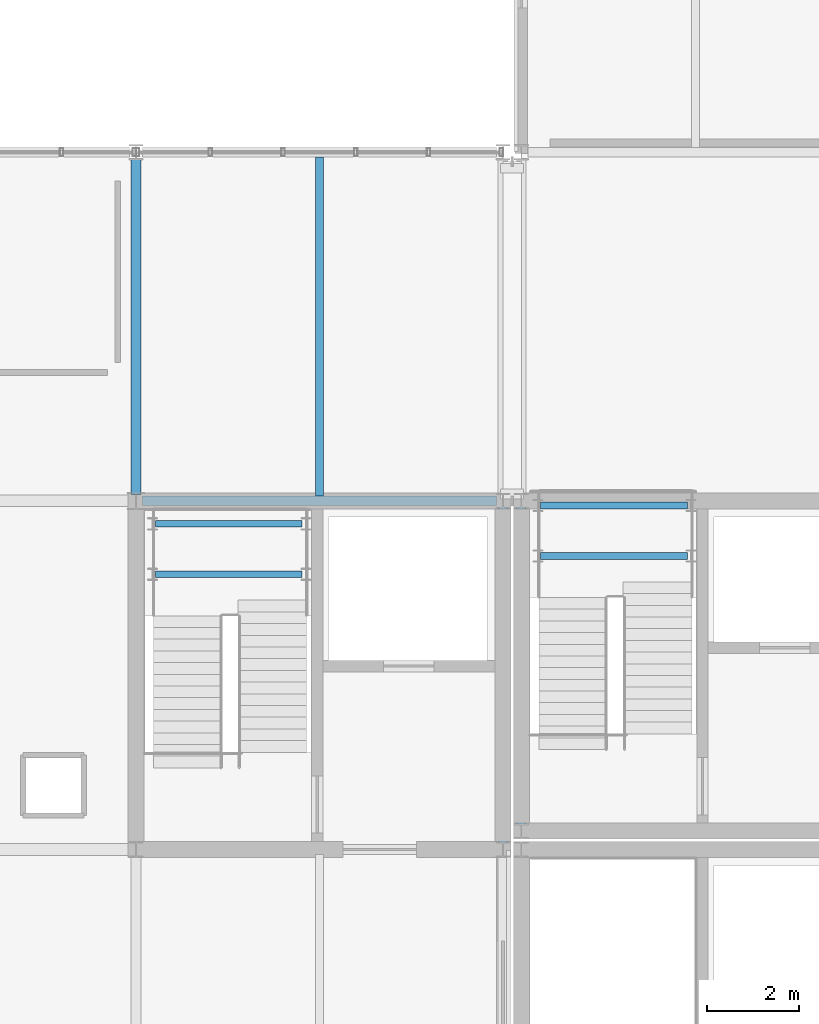
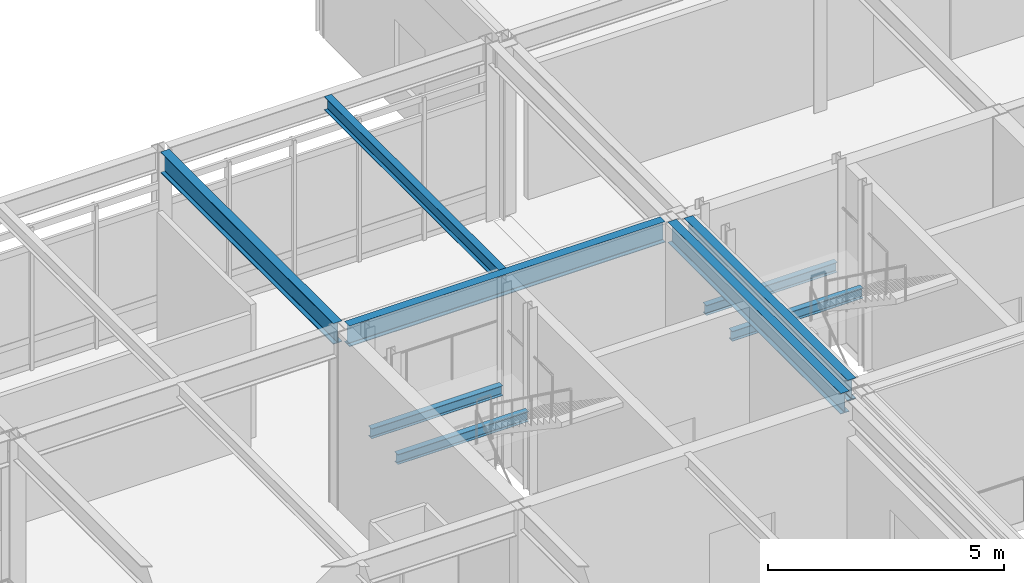
# One storey, part 54 of 104: 9 beams.
"""IFC4 building model written with IfcOpenShell, lengths in metres."""

import ifcopenshell
import ifcopenshell.guid

model = None  # the IFC model being written
_history = None  # IfcOwnerHistory: only IFC2X3 demands one
_inside = {}  # id of a spatial element -> (the spatial element, [elements in it])
_under = {}  # id of a project, library or spatial element -> (it, [spatial elements below it])
_declared = {}  # id of a project -> (the project, [libraries it declares])
_typed = {}  # id of a type object -> (the type object, [elements of that type])
_made_of = {}  # id of a material, layer set ... -> (it, [elements and type objects made of it])


def new_model(schema):
    """Start an empty IFC model of exactly this schema.

    Asked for "IFC4X3", IfcOpenShell would pick the latest addendum, in which some entities
    have other attributes; the version numbers below select the first issue.
    IFC2X3 requires an IfcOwnerHistory on every rooted entity: one is made here for all.
    """
    global model, _history
    if schema == "IFC4X3":
        model = ifcopenshell.file(schema_version=(4, 3, 0, 0))
    else:
        model = ifcopenshell.file(schema=schema)
    _inside.clear()
    _under.clear()
    _declared.clear()
    _typed.clear()
    _made_of.clear()
    _history = None
    if model.schema == "IFC2X3":
        org = make("IfcOrganization", Name="unknown")
        user = make(
            "IfcPersonAndOrganization",
            ThePerson=make("IfcPerson", FamilyName="unknown"),
            TheOrganization=org,
        )
        app = make(
            "IfcApplication",
            ApplicationDeveloper=org,
            Version="unknown",
            ApplicationFullName="unknown",
            ApplicationIdentifier="unknown",
        )
        _history = make(
            "IfcOwnerHistory",
            OwningUser=user,
            OwningApplication=app,
            ChangeAction="ADDED",
            CreationDate=0,
        )
    return model


def make(cls, **values):
    """One entity of the class cls with the attributes given. An attribute that is None is left unset."""
    return model.create_entity(
        cls, **{name: value for name, value in values.items() if value is not None}
    )


def rooted(cls, **values):
    """An entity with a GlobalId (a new one), such as an element, a storey or a relation."""
    return make(cls, GlobalId=ifcopenshell.guid.new(), OwnerHistory=_history, **values)


def si_unit(unit_type, name, prefix=None):
    """IfcSIUnit, for example si_unit("LENGTHUNIT", "METRE", prefix="MILLI")."""
    return make("IfcSIUnit", UnitType=unit_type, Prefix=prefix, Name=name)


def assignment(units):
    """IfcUnitAssignment: the units of a project."""
    return None if units is None else make("IfcUnitAssignment", Units=units)


def point(xyz):
    """IfcCartesianPoint."""
    return None if xyz is None else make("IfcCartesianPoint", Coordinates=xyz)


def direction(xyz):
    """IfcDirection."""
    return None if xyz is None else make("IfcDirection", DirectionRatios=xyz)


def frame(location, z_axis=None, x_axis=None):
    """IfcAxis2Placement3D, a coordinate frame: its origin and axes. An axis left out is left unset."""
    return make(
        "IfcAxis2Placement3D",
        Location=point(location),
        Axis=direction(z_axis),
        RefDirection=direction(x_axis),
    )


def frame_2d(location, x_axis=None):
    """IfcAxis2Placement2D, a coordinate frame in the plane: its origin and x axis."""
    return make(
        "IfcAxis2Placement2D", Location=point(location), RefDirection=direction(x_axis)
    )


def origin():
    """The frame at (0, 0, 0) with its axes left unset."""
    return frame((0.0, 0.0, 0.0))


def origin_2d():
    """The frame at (0, 0) in the plane with its x axis left unset."""
    return frame_2d((0.0, 0.0))


def place(relative_to, where):
    """IfcLocalPlacement: puts the frame where relative to a parent placement (None: the world)."""
    return make(
        "IfcLocalPlacement", PlacementRelTo=relative_to, RelativePlacement=where
    )


def context(
    kind, dimensions, precision=None, world=None, true_north=None, identifier=None
):
    """IfcGeometricRepresentationContext, for example the 3D "Model" context."""
    return make(
        "IfcGeometricRepresentationContext",
        ContextIdentifier=identifier,
        ContextType=kind,
        CoordinateSpaceDimension=dimensions,
        Precision=precision,
        WorldCoordinateSystem=world,
        TrueNorth=true_north,
    )


def subcontext(parent, identifier, kind, view, scale=None):
    """IfcGeometricRepresentationSubContext, for example "Body" below "Model"."""
    return make(
        "IfcGeometricRepresentationSubContext",
        ContextIdentifier=identifier,
        ContextType=kind,
        ParentContext=parent,
        TargetScale=scale,
        TargetView=view,
    )


def project(units=None, contexts=None):
    """IfcProject with its units and contexts."""
    return rooted(
        "IfcProject",
        Name="project",
        RepresentationContexts=contexts,
        UnitsInContext=assignment(units),
    )


def spatial(cls, under=None, at=None, **own):
    """A site, building, storey or space (cls), placed at a placement, below another one or the project."""
    s = rooted(cls, ObjectPlacement=at, **own)
    if under is not None:
        _under.setdefault(under.id(), (under, []))[1].append(s)
    return s


def profile(cls, at=None, kind="AREA", **sizes):
    """A parametric profile (cls). Its sizes go by their IFC names, for example OverallWidth=200.0."""
    return make(cls, ProfileType=kind, Position=at, **sizes)


def i_section(**sizes):
    """IfcIShapeProfileDef."""
    return profile("IfcIShapeProfileDef", **sizes)


def extrude(swept, where, along, depth):
    """IfcExtrudedAreaSolid: the profile swept, set in the frame where, extruded along a direction by depth."""
    return make(
        "IfcExtrudedAreaSolid",
        SweptArea=swept,
        Position=where,
        ExtrudedDirection=direction(along),
        Depth=depth,
    )


def shape(context_of_items, identifier, shape_type, items):
    """IfcShapeRepresentation: the items that make up one representation, for example the "Body"."""
    return make(
        "IfcShapeRepresentation",
        ContextOfItems=context_of_items,
        RepresentationIdentifier=identifier,
        RepresentationType=shape_type,
        Items=items,
    )


def material(Name=None, Category=None):
    """IfcMaterial."""
    return make("IfcMaterial", Name=Name, Category=Category)


def material_profile(
    of_material, cross_section, Name=None, Category=None, Priority=None
):
    """IfcMaterialProfile: a cross section and its material."""
    return make(
        "IfcMaterialProfile",
        Name=Name,
        Material=of_material,
        Profile=cross_section,
        Priority=Priority,
        Category=Category,
    )


def profile_set(profiles, Name=None, composite=None):
    """IfcMaterialProfileSet."""
    return make(
        "IfcMaterialProfileSet",
        Name=Name,
        MaterialProfiles=profiles,
        CompositeProfile=composite,
    )


def made_of(thing, what):
    """Note that an element or type object is made of a material, layer set ...; save() writes the relation."""
    if what is not None:
        _made_of.setdefault(what.id(), (what, []))[1].append(thing)
    return thing


def type_object(cls, material=None, **own):
    """A type object (cls), such as IfcWallType, which elements share."""
    return made_of(rooted(cls, **own), material)


def element(
    cls,
    number,
    at=None,
    inside=None,
    cuts=None,
    type_object=None,
    material=None,
    context=None,
    identifier="Body",
    shape_type=None,
    held_by="IfcProductDefinitionShape",
    body=None,
    shapes=None,
    **own,
):
    """One element of the class cls, such as IfcWall. Its Tag is "e" and its number.

    at: its placement. inside: the storey or other place that contains it. cuts: it is an
    opening in that element (IfcRelVoidsElement). A single representation is given by context,
    identifier, shape_type and body (its items); several are given by shapes. held_by: the class
    of the entity that holds the representations. save() writes the other relations.
    """
    e = rooted(cls, Tag="e%d" % number, ObjectPlacement=at, **own)
    if body is not None:
        shapes = [shape(context, identifier, shape_type, body)]
    if shapes is not None:
        e.Representation = make(held_by, Representations=shapes)
    if inside is not None:
        _inside.setdefault(inside.id(), (inside, []))[1].append(e)
    if cuts is not None:
        rooted(
            "IfcRelVoidsElement", RelatingBuildingElement=cuts, RelatedOpeningElement=e
        )
    if type_object is not None:
        _typed.setdefault(type_object.id(), (type_object, []))[1].append(e)
    return made_of(e, material)


def aggregate(whole, parts):
    """IfcRelAggregates: a whole, such as a stair, and the parts it consists of."""
    return rooted("IfcRelAggregates", RelatingObject=whole, RelatedObjects=parts)


def save(model, path):
    """Write the relations noted so far, then the file.

    IfcRelAggregates (storeys below a building ...), IfcRelContainedInSpatialStructure (elements
    in a storey), IfcRelDefinesByType, IfcRelAssociatesMaterial and IfcRelDeclares: one each for
    every whole, place, type object, material and project.
    """
    for whole, parts in _under.values():
        aggregate(whole, parts)
    for where, things in _inside.values():
        rooted(
            "IfcRelContainedInSpatialStructure",
            RelatedElements=things,
            RelatingStructure=where,
        )
    for kind, things in _typed.values():
        rooted("IfcRelDefinesByType", RelatedObjects=things, RelatingType=kind)
    for what, things in _made_of.values():
        rooted("IfcRelAssociatesMaterial", RelatedObjects=things, RelatingMaterial=what)
    for by, libraries in _declared.values():
        rooted("IfcRelDeclares", RelatingContext=by, RelatedDefinitions=libraries)
    model.write(path)


model = new_model("IFC4")

# Units and contexts
model_context = context("Model", 3, precision=1e-05, world=origin(), true_north=direction((0.0, 1.0)))
body_context = subcontext(model_context, "Body", "Model", "MODEL_VIEW")
ifc_project = project(units=[si_unit("LENGTHUNIT", "METRE"), si_unit("AREAUNIT", "SQUARE_METRE"), si_unit("VOLUMEUNIT", "CUBIC_METRE"), si_unit("PLANEANGLEUNIT", "RADIAN"), si_unit("MASSUNIT", "GRAM", prefix="KILO")], contexts=[model_context])

# Site, building, storey
site_placement = place(None, origin())
site = spatial("IfcSite", under=ifc_project, at=site_placement, CompositionType="ELEMENT")
building_placement = place(site_placement, origin())
building = spatial("IfcBuilding", under=site, at=building_placement, Name="Zulena Civic Courthouse", CompositionType="ELEMENT")
storey_placement = place(building_placement, frame((0.0, 0.0, 15.60009765625)))
storey = spatial("IfcBuildingStorey", under=building, at=storey_placement, Name="L03", CompositionType="ELEMENT", Elevation=15.60009765625)

# Beams
ifc_material = material(Name="Steel ASTM A992 Grade 50", Category="steel")
ifc_material_profile_1 = material_profile(ifc_material, i_section(OverallWidth=0.14599609375, OverallDepth=0.258056640625, WebThickness=0.006103515625, FlangeThickness=0.009033203125, FilletRadius=0.007568359375, at=origin_2d()), Name="W10X22")
ifc_profile_set_1 = profile_set([ifc_material_profile_1], Name="Steel ASTM A992 Grade 50")
beam_type_1 = type_object("IfcBeamType", Name="Joist_W10X22", PredefinedType="JOIST", material=ifc_profile_set_1)
for number, where, z_axis, x_axis, name in (
    (1, (124.820068359375, 36.800048828125, 1.990966796875), (1.0, 0.0, 0.0), (0.0, 1.0, 0.0), "beam:lnd:K3A:L03:0"),
    (2, (124.820068359375, 37.89990234375, 1.990966796875), (1.0, 0.0, 0.0), (0.0, 1.0, 0.0), "beam:lnd:K3A:L03:1"),
):
    element("IfcBeam", number, at=place(storey_placement, frame(where, z_axis=z_axis, x_axis=x_axis)), inside=storey, type_object=beam_type_1, Name=name, PredefinedType="JOIST", context=body_context, shape_type="SweptSolid", body=[
        extrude(i_section(OverallWidth=0.14599609375, OverallDepth=0.258056640625, WebThickness=0.006103515625, FlangeThickness=0.009033203125, FilletRadius=0.007568359375, at=origin_2d()), origin(), (0.0, 0.0, 1.0), 3.199951171875),
    ])
for number, where, z_axis, x_axis, name in (
    (3, (116.419921875, 36.39990234375, 1.990966796875), (1.0, 0.0, 0.0), (0.0, 1.0, 0.0), "beam:lnd:K4B:L03:0"),
    (4, (116.419921875, 37.5, 1.990966796875), (1.0, 0.0, 0.0), (0.0, 1.0, 0.0), "beam:lnd:K4B:L03:1"),
):
    element("IfcBeam", number, at=place(storey_placement, frame(where, z_axis=z_axis, x_axis=x_axis)), inside=storey, type_object=beam_type_1, Name=name, PredefinedType="JOIST", context=body_context, shape_type="SweptSolid", body=[
        extrude(i_section(OverallWidth=0.14599609375, OverallDepth=0.258056640625, WebThickness=0.006103515625, FlangeThickness=0.009033203125, FilletRadius=0.007568359375, at=origin_2d()), origin(), (0.0, 0.0, 1.0), 3.2001953125),
    ])
ifc_material_profile_2 = material_profile(ifc_material, i_section(OverallWidth=0.1708984375, OverallDepth=0.35205078125, WebThickness=0.0068359375, FlangeThickness=0.009765625, FilletRadius=0.01025390625, at=origin_2d()), Name="W14X30")
ifc_profile_set_2 = profile_set([ifc_material_profile_2], Name="Steel ASTM A992 Grade 50")
beam_type_2 = type_object("IfcBeamType", Name="Joist_W14X30", PredefinedType="JOIST", material=ifc_profile_set_2)
beam_1_placement = place(storey_placement, frame((120.0, 38.10498046875, 4.413818359375), z_axis=(0.0, 1.0, 0.0), x_axis=(-1.0, 0.0, 0.0)))
element("IfcBeam", 5, at=beam_1_placement, inside=storey, type_object=beam_type_2, Name="joist:V4:L03:120.00:38.0_45.6", PredefinedType="JOIST", context=body_context, shape_type="SweptSolid", body=[
    extrude(i_section(OverallWidth=0.1708984375, OverallDepth=0.35205078125, WebThickness=0.0068359375, FlangeThickness=0.009765625, FilletRadius=0.01025390625, at=origin_2d()), origin(), (0.0, 0.0, 1.0), 7.39013671875),
])
ifc_material_profile_3 = material_profile(ifc_material, i_section(OverallWidth=0.2099609375, OverallDepth=0.537109375, WebThickness=0.010986328125, FlangeThickness=0.017333984375, FilletRadius=0.0126953125, at=origin_2d()), Name="W21X68")
ifc_profile_set_3 = profile_set([ifc_material_profile_3], Name="Steel ASTM A992 Grade 50")
beam_type_3 = type_object("IfcBeamType", Name="Spandrel_W21X68", PredefinedType="SPANDREL", material=ifc_profile_set_3)
beam_2_placement = place(storey_placement, frame((124.39990234375, 30.945068359375, 4.2763671875), z_axis=(0.0, 1.0, 0.0), x_axis=(-1.0, 0.0, 0.0)))
element("IfcBeam", 6, at=beam_2_placement, inside=storey, type_object=beam_type_3, Name="beam:Y:V3:L03:124.4:30.8_38.0", PredefinedType="SPANDREL", context=body_context, shape_type="SweptSolid", body=[
    extrude(i_section(OverallWidth=0.2099609375, OverallDepth=0.537109375, WebThickness=0.010986328125, FlangeThickness=0.017333984375, FilletRadius=0.0126953125, at=origin_2d()), origin(), (0.0, 0.0, 1.0), 6.909912109375),
])
beam_3_placement = place(storey_placement, frame((116.14501953125, 38.0, 4.3212890625), z_axis=(1.0, 0.0, 0.0), x_axis=(0.0, 1.0, 0.0)))
element("IfcBeam", 7, at=beam_3_placement, inside=storey, type_object=beam_type_3, Name="beam:X:V4:L03:38.0:116.0_124.0", PredefinedType="SPANDREL", context=body_context, shape_type="SweptSolid", body=[
    extrude(i_section(OverallWidth=0.2099609375, OverallDepth=0.537109375, WebThickness=0.010986328125, FlangeThickness=0.017333984375, FilletRadius=0.0126953125, at=origin_2d()), origin(), (0.0, 0.0, 1.0), 7.7099609375),
])
for number, where, z_axis, x_axis, name in (
    (8, (116.0, 38.14501953125, 4.3212890625), (0.0, 1.0, 0.0), (-1.0, 0.0, 0.0), "beam:Y:V4:L03:116.0:38.0_45.6"),
    (9, (124.0, 30.544921875, 4.3212890625), (0.0, 1.0, 0.0), (-1.0, 0.0, 0.0), "beam:Y:V4:L03:124.0:30.4_38.0"),
):
    element("IfcBeam", number, at=place(storey_placement, frame(where, z_axis=z_axis, x_axis=x_axis)), inside=storey, type_object=beam_type_3, Name=name, PredefinedType="SPANDREL", context=body_context, shape_type="SweptSolid", body=[
        extrude(i_section(OverallWidth=0.2099609375, OverallDepth=0.537109375, WebThickness=0.010986328125, FlangeThickness=0.017333984375, FilletRadius=0.0126953125, at=origin_2d()), origin(), (0.0, 0.0, 1.0), 7.31005859375),
    ])

save(model, "model.ifc")
